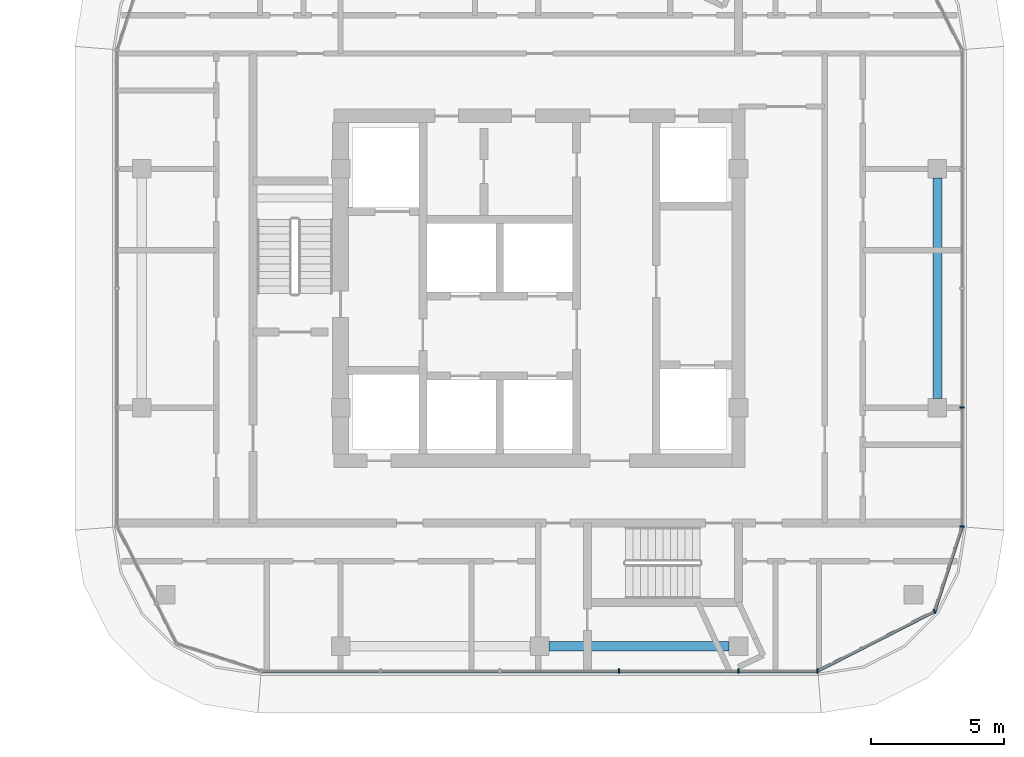
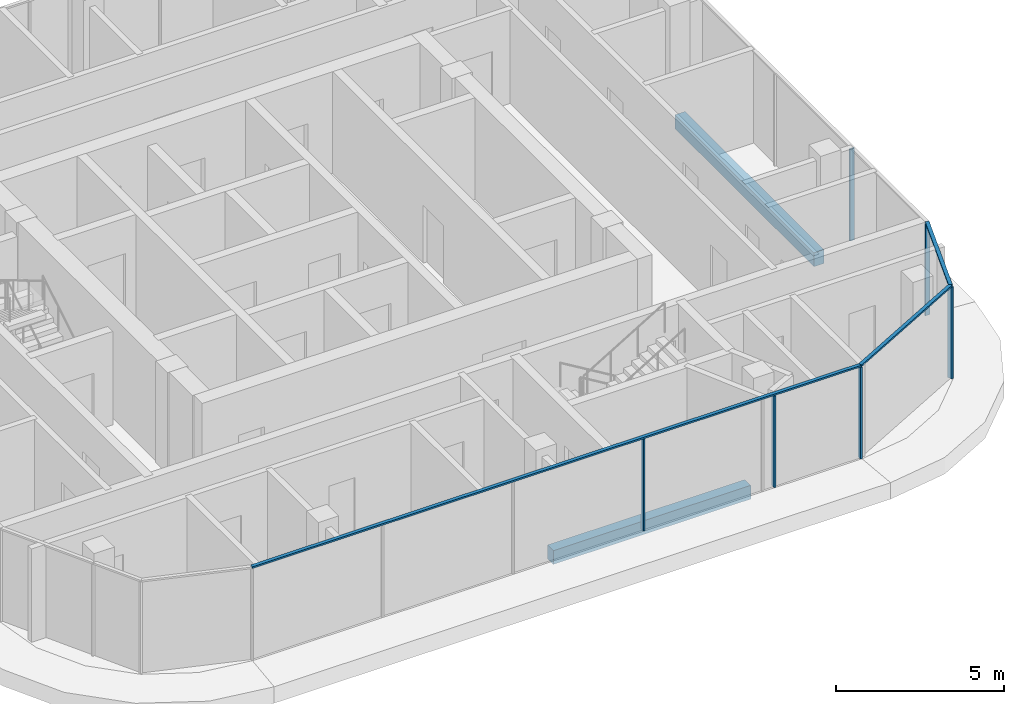
# One storey, part 11 of 40: 9 members, 2 beams, 3 elements without a shape of their own.
"""IFC4 building model written with IfcOpenShell, lengths in metres."""

from ifc_helpers import new_model, si_unit, direction, frame, origin, origin_2d, place, context, subcontext, project, spatial, rectangle, extrude, material, material_profile, profile_set, type_object, element, aggregate, save


model = new_model("IFC4")

# Units and contexts
model_context = context("Model", 3, precision=1e-05, world=origin(), true_north=direction((0.0, 1.0)))
body_context = subcontext(model_context, "Body", "Model", "MODEL_VIEW")
ifc_project = project(units=[si_unit("LENGTHUNIT", "METRE"), si_unit("AREAUNIT", "SQUARE_METRE"), si_unit("VOLUMEUNIT", "CUBIC_METRE"), si_unit("PLANEANGLEUNIT", "RADIAN"), si_unit("MASSUNIT", "GRAM", prefix="KILO")], contexts=[model_context])

# Site, building, storey
site_placement = place(None, origin())
site = spatial("IfcSite", under=ifc_project, at=site_placement, CompositionType="ELEMENT")
building_placement = place(site_placement, origin())
building = spatial("IfcBuilding", under=site, at=building_placement, Name="Ogive Portal Towers", CompositionType="ELEMENT")
storey_placement = place(building_placement, frame((0.0, 0.0, 87.10009765625)))
storey = spatial("IfcBuildingStorey", under=building, at=storey_placement, Name="L20", CompositionType="ELEMENT", Elevation=87.10009765625)

# Curtain wall, members
ifc_material_1 = material(Name="Glass, clear low-iron insulated glazing", Category="glass")
curtain_wall_type = type_object("IfcCurtainWallType", Name="CW RESIDENCES RIBBON", PredefinedType="NOTDEFINED", material=ifc_material_1)
curtain_wall_1_placement = place(storey_placement, origin())
curtain_wall_1 = element("IfcCurtainWall", 1, at=curtain_wall_1_placement, inside=storey, type_object=curtain_wall_type, Name="B:L20:f02:cw0", PredefinedType="NOTDEFINED")
ifc_material_2 = material(Name="Aluminium 6063 anodised", Category="aluminium")
ifc_material_profile_1 = material_profile(ifc_material_2, rectangle(XDim=0.159912109375, YDim=0.06005859375, at=origin_2d()), Name="AL 60x160")
ifc_profile_set_1 = profile_set([ifc_material_profile_1], Name="Aluminium 6063 anodised")
member_type_1 = type_object("IfcMemberType", Name="CW MULLION 60x160", PredefinedType="MULLION", material=ifc_profile_set_1)
member_1_placement = place(storey_placement, frame((139.5, 16.570068359375, 0.0), z_axis=(0.0, 0.0, 1.0), x_axis=(0.0, 1.0, 0.0)))
member_1 = element("IfcMember", 2, at=member_1_placement, type_object=member_type_1, Name="mullion", PredefinedType="MULLION", context=body_context, shape_type="SweptSolid", body=[
    extrude(rectangle(XDim=0.159912109375, YDim=0.06005859375, at=origin_2d()), origin(), (0.0, 0.0, 1.0), 3.33984375),
])
member_2_placement = place(storey_placement, frame((144.0, 16.570068359375, 0.0), z_axis=(0.0, 0.0, 1.0), x_axis=(0.0, 1.0, 0.0)))
member_2 = element("IfcMember", 3, at=member_2_placement, type_object=member_type_1, Name="mullion", PredefinedType="MULLION", context=body_context, shape_type="SweptSolid", body=[
    extrude(rectangle(XDim=0.159912109375, YDim=0.06005859375, at=origin_2d()), origin(), (0.0, 0.0, 1.0), 3.33984375),
])
member_3_placement = place(storey_placement, frame((146.980712890625, 16.570068359375, 0.0), z_axis=(0.0, 0.0, 1.0), x_axis=(0.0, 1.0, 0.0)))
member_3 = element("IfcMember", 4, at=member_3_placement, type_object=member_type_1, Name="mullion", PredefinedType="MULLION", context=body_context, shape_type="SweptSolid", body=[
    extrude(rectangle(XDim=0.159912109375, YDim=0.06005859375, at=origin_2d()), origin(), (0.0, 0.0, 1.0), 3.33984375),
])

curtain_wall_2_placement = place(storey_placement, origin())
curtain_wall_2 = element("IfcCurtainWall", 5, at=curtain_wall_2_placement, inside=storey, type_object=curtain_wall_type, Name="B:L20:f05:cw0", PredefinedType="NOTDEFINED")
member_4_placement = place(storey_placement, frame((152.429931640625, 22.0126953125, 0.0), z_axis=(0.0, 0.0, 1.0), x_axis=(-1.0, 0.0, 0.0)))
member_4 = element("IfcMember", 6, at=member_4_placement, type_object=member_type_1, Name="mullion", PredefinedType="MULLION", context=body_context, shape_type="SweptSolid", body=[
    extrude(rectangle(XDim=0.159912109375, YDim=0.06005859375, at=origin_2d()), origin(), (0.0, 0.0, 1.0), 3.33984375),
])
member_5_placement = place(storey_placement, frame((152.429931640625, 26.5, 0.0), z_axis=(0.0, 0.0, 1.0), x_axis=(-1.0, 0.0, 0.0)))
member_5 = element("IfcMember", 7, at=member_5_placement, type_object=member_type_1, Name="mullion", PredefinedType="MULLION", context=body_context, shape_type="SweptSolid", body=[
    extrude(rectangle(XDim=0.159912109375, YDim=0.06005859375, at=origin_2d()), origin(), (0.0, 0.0, 1.0), 3.33984375),
])
aggregate(curtain_wall_2, [member_4, member_5])

# Curtain wall, member
curtain_wall_3_placement = place(storey_placement, origin())
curtain_wall_3 = element("IfcCurtainWall", 8, at=curtain_wall_3_placement, inside=storey, type_object=curtain_wall_type, Name="B:L20:f03:cwa", PredefinedType="NOTDEFINED")
member_6_placement = place(storey_placement, frame((151.391845703125, 18.817626953125, 0.0), z_axis=(0.0, 0.0, 1.0), x_axis=(-0.45399049974, 0.891006524188, 0.0)))
member_6 = element("IfcMember", 9, at=member_6_placement, type_object=member_type_1, Name="mullion", PredefinedType="MULLION", context=body_context, shape_type="SweptSolid", body=[
    extrude(rectangle(XDim=0.159912109375, YDim=0.06005859375, at=origin_2d()), origin(), (0.0, 0.0, 1.0), 3.33984375),
])

# Member
ifc_material_profile_2 = material_profile(ifc_material_2, rectangle(XDim=0.1201171875, YDim=0.06005859375, at=origin_2d()), Name="AL 120x60")
ifc_profile_set_2 = profile_set([ifc_material_profile_2], Name="Aluminium 6063 anodised")
member_type_2 = type_object("IfcMemberType", Name="CW TRANSOM 60x120", PredefinedType="USERDEFINED", material=ifc_profile_set_2)
member_7_placement = place(storey_placement, frame((126.0126953125, 16.570068359375, 3.369873046875), z_axis=(1.0, 0.0, 0.0), x_axis=(0.0, 1.0, 0.0)))
member_7 = element("IfcMember", 10, at=member_7_placement, type_object=member_type_2, Name="transom", ObjectType="TRANSOM", PredefinedType="USERDEFINED", context=body_context, shape_type="SweptSolid", body=[
    extrude(rectangle(XDim=0.1201171875, YDim=0.06005859375, at=origin_2d()), origin(), (0.0, 0.0, 1.0), 20.968017578125),
])

aggregate(curtain_wall_1, [member_7, member_1, member_2, member_3])

member_8_placement = place(storey_placement, frame((146.980712890625, 16.570068359375, 3.369873046875), z_axis=(0.891008635106, 0.453986356807, 0.0), x_axis=(-0.453986356807, 0.891008635106, 0.0)))
member_8 = element("IfcMember", 11, at=member_8_placement, type_object=member_type_2, Name="transom", ObjectType="TRANSOM", PredefinedType="USERDEFINED", context=body_context, shape_type="SweptSolid", body=[
    extrude(rectangle(XDim=0.1201171875, YDim=0.06005859375, at=origin_2d()), origin(), (0.0, 0.0, 1.0), 4.95068359375),
])

member_9_placement = place(storey_placement, frame((151.391845703125, 18.817626953125, 3.369873046875), z_axis=(0.309002265981, 0.951061301714, 0.0), x_axis=(-0.951061301714, 0.309002265981, 0.0)))
member_9 = element("IfcMember", 12, at=member_9_placement, type_object=member_type_2, Name="transom", ObjectType="TRANSOM", PredefinedType="USERDEFINED", context=body_context, shape_type="SweptSolid", body=[
    extrude(rectangle(XDim=0.1201171875, YDim=0.06005859375, at=origin_2d()), origin(), (0.0, 0.0, 1.0), 3.359375),
])

aggregate(curtain_wall_3, [member_8, member_9, member_6])

# Beams
ifc_material_3 = material(Name="Concrete C50/60", Category="concrete")
ifc_material_profile_3 = material_profile(ifc_material_3, rectangle(XDim=0.35009765625, YDim=0.5, at=origin_2d()), Name="RC 350x500")
ifc_profile_set_3 = profile_set([ifc_material_profile_3], Name="Concrete C50/60")
beam_type = type_object("IfcBeamType", Name="SPANDREL BEAM RC 350x500", PredefinedType="BEAM", material=ifc_profile_set_3)
beam_1_placement = place(storey_placement, frame((136.85009765625, 17.5, -0.550048828125), z_axis=(1.0, 0.0, 0.0), x_axis=(0.0, 1.0, 0.0)))
element("IfcBeam", 13, at=beam_1_placement, inside=storey, type_object=beam_type, Name="Spandrel beam L20", PredefinedType="BEAM", context=body_context, shape_type="SweptSolid", body=[
    extrude(rectangle(XDim=0.35009765625, YDim=0.5, at=origin_2d()), origin(), (0.0, 0.0, 1.0), 6.7998046875),
])
beam_2_placement = place(storey_placement, frame((151.5, 26.85009765625, -0.550048828125), z_axis=(0.0, 1.0, 0.0), x_axis=(-1.0, 0.0, 0.0)))
element("IfcBeam", 14, at=beam_2_placement, inside=storey, type_object=beam_type, Name="Spandrel beam L20", PredefinedType="BEAM", context=body_context, shape_type="SweptSolid", body=[
    extrude(rectangle(XDim=0.35009765625, YDim=0.5, at=origin_2d()), origin(), (0.0, 0.0, 1.0), 8.2998046875),
])

save(model, "model.ifc")
